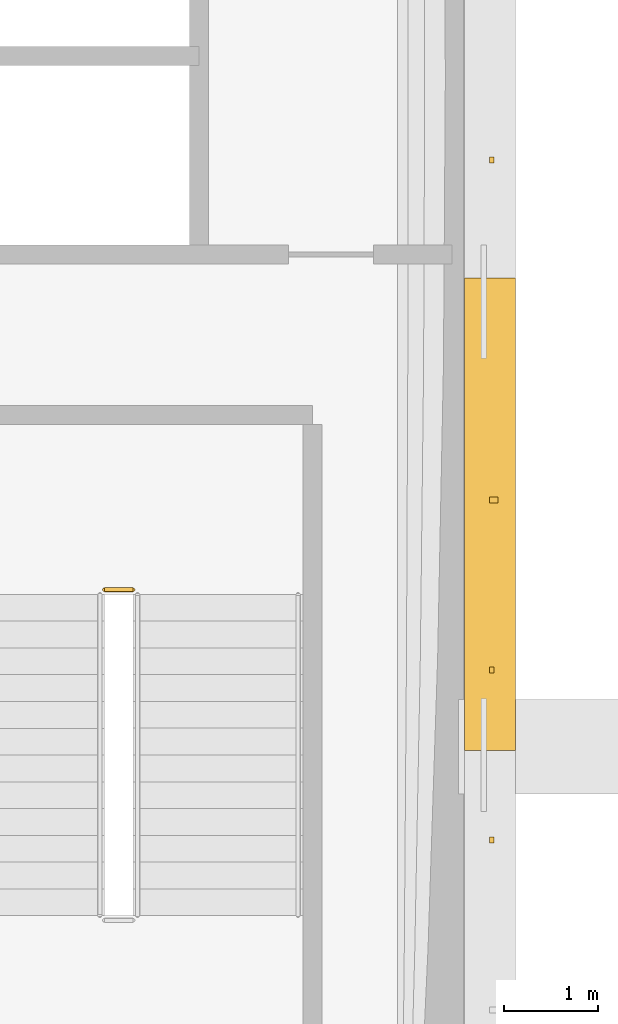
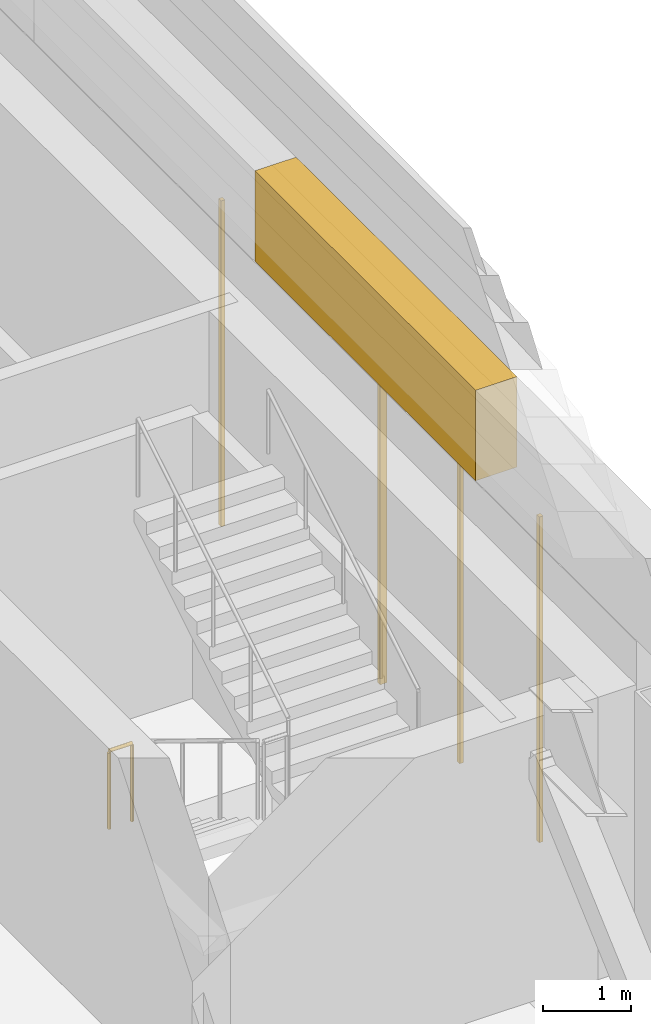
# One storey, part 23 of 29: 5 coverings, 1 railing.
"""IFC4 building model written with IfcOpenShell, lengths in metres."""

import ifcopenshell
import ifcopenshell.guid

model = None  # the IFC model being written
_history = None  # IfcOwnerHistory: only IFC2X3 demands one
_inside = {}  # id of a spatial element -> (the spatial element, [elements in it])
_under = {}  # id of a project, library or spatial element -> (it, [spatial elements below it])
_declared = {}  # id of a project -> (the project, [libraries it declares])
_typed = {}  # id of a type object -> (the type object, [elements of that type])
_made_of = {}  # id of a material, layer set ... -> (it, [elements and type objects made of it])


def new_model(schema):
    """Start an empty IFC model of exactly this schema.

    Asked for "IFC4X3", IfcOpenShell would pick the latest addendum, in which some entities
    have other attributes; the version numbers below select the first issue.
    IFC2X3 requires an IfcOwnerHistory on every rooted entity: one is made here for all.
    """
    global model, _history
    if schema == "IFC4X3":
        model = ifcopenshell.file(schema_version=(4, 3, 0, 0))
    else:
        model = ifcopenshell.file(schema=schema)
    _inside.clear()
    _under.clear()
    _declared.clear()
    _typed.clear()
    _made_of.clear()
    _history = None
    if model.schema == "IFC2X3":
        org = make("IfcOrganization", Name="unknown")
        user = make(
            "IfcPersonAndOrganization",
            ThePerson=make("IfcPerson", FamilyName="unknown"),
            TheOrganization=org,
        )
        app = make(
            "IfcApplication",
            ApplicationDeveloper=org,
            Version="unknown",
            ApplicationFullName="unknown",
            ApplicationIdentifier="unknown",
        )
        _history = make(
            "IfcOwnerHistory",
            OwningUser=user,
            OwningApplication=app,
            ChangeAction="ADDED",
            CreationDate=0,
        )
    return model


def make(cls, **values):
    """One entity of the class cls with the attributes given. An attribute that is None is left unset."""
    return model.create_entity(
        cls, **{name: value for name, value in values.items() if value is not None}
    )


def rooted(cls, **values):
    """An entity with a GlobalId (a new one), such as an element, a storey or a relation."""
    return make(cls, GlobalId=ifcopenshell.guid.new(), OwnerHistory=_history, **values)


def si_unit(unit_type, name, prefix=None):
    """IfcSIUnit, for example si_unit("LENGTHUNIT", "METRE", prefix="MILLI")."""
    return make("IfcSIUnit", UnitType=unit_type, Prefix=prefix, Name=name)


def assignment(units):
    """IfcUnitAssignment: the units of a project."""
    return None if units is None else make("IfcUnitAssignment", Units=units)


def point(xyz):
    """IfcCartesianPoint."""
    return None if xyz is None else make("IfcCartesianPoint", Coordinates=xyz)


def direction(xyz):
    """IfcDirection."""
    return None if xyz is None else make("IfcDirection", DirectionRatios=xyz)


def frame(location, z_axis=None, x_axis=None):
    """IfcAxis2Placement3D, a coordinate frame: its origin and axes. An axis left out is left unset."""
    return make(
        "IfcAxis2Placement3D",
        Location=point(location),
        Axis=direction(z_axis),
        RefDirection=direction(x_axis),
    )


def frame_2d(location, x_axis=None):
    """IfcAxis2Placement2D, a coordinate frame in the plane: its origin and x axis."""
    return make(
        "IfcAxis2Placement2D", Location=point(location), RefDirection=direction(x_axis)
    )


def origin():
    """The frame at (0, 0, 0) with its axes left unset."""
    return frame((0.0, 0.0, 0.0))


def origin_2d():
    """The frame at (0, 0) in the plane with its x axis left unset."""
    return frame_2d((0.0, 0.0))


def place(relative_to, where):
    """IfcLocalPlacement: puts the frame where relative to a parent placement (None: the world)."""
    return make(
        "IfcLocalPlacement", PlacementRelTo=relative_to, RelativePlacement=where
    )


def context(
    kind, dimensions, precision=None, world=None, true_north=None, identifier=None
):
    """IfcGeometricRepresentationContext, for example the 3D "Model" context."""
    return make(
        "IfcGeometricRepresentationContext",
        ContextIdentifier=identifier,
        ContextType=kind,
        CoordinateSpaceDimension=dimensions,
        Precision=precision,
        WorldCoordinateSystem=world,
        TrueNorth=true_north,
    )


def subcontext(parent, identifier, kind, view, scale=None):
    """IfcGeometricRepresentationSubContext, for example "Body" below "Model"."""
    return make(
        "IfcGeometricRepresentationSubContext",
        ContextIdentifier=identifier,
        ContextType=kind,
        ParentContext=parent,
        TargetScale=scale,
        TargetView=view,
    )


def project(units=None, contexts=None):
    """IfcProject with its units and contexts."""
    return rooted(
        "IfcProject",
        Name="project",
        RepresentationContexts=contexts,
        UnitsInContext=assignment(units),
    )


def spatial(cls, under=None, at=None, **own):
    """A site, building, storey or space (cls), placed at a placement, below another one or the project."""
    s = rooted(cls, ObjectPlacement=at, **own)
    if under is not None:
        _under.setdefault(under.id(), (under, []))[1].append(s)
    return s


def polyline(points):
    """IfcPolyline through the points."""
    return make("IfcPolyline", Points=[point(p) for p in points])


def profile(cls, at=None, kind="AREA", **sizes):
    """A parametric profile (cls). Its sizes go by their IFC names, for example OverallWidth=200.0."""
    return make(cls, ProfileType=kind, Position=at, **sizes)


def rectangle(**sizes):
    """IfcRectangleProfileDef."""
    return profile("IfcRectangleProfileDef", **sizes)


def circle(**sizes):
    """IfcCircleProfileDef."""
    return profile("IfcCircleProfileDef", **sizes)


def outline(outer, holes=None, kind="AREA"):
    """IfcArbitraryClosedProfileDef: a profile drawn as a closed curve; with holes, ...WithVoids."""
    if holes is None:
        return make("IfcArbitraryClosedProfileDef", ProfileType=kind, OuterCurve=outer)
    return make(
        "IfcArbitraryProfileDefWithVoids",
        ProfileType=kind,
        OuterCurve=outer,
        InnerCurves=holes,
    )


def extrude(swept, where, along, depth):
    """IfcExtrudedAreaSolid: the profile swept, set in the frame where, extruded along a direction by depth."""
    return make(
        "IfcExtrudedAreaSolid",
        SweptArea=swept,
        Position=where,
        ExtrudedDirection=direction(along),
        Depth=depth,
    )


def shape(context_of_items, identifier, shape_type, items):
    """IfcShapeRepresentation: the items that make up one representation, for example the "Body"."""
    return make(
        "IfcShapeRepresentation",
        ContextOfItems=context_of_items,
        RepresentationIdentifier=identifier,
        RepresentationType=shape_type,
        Items=items,
    )


def material(Name=None, Category=None):
    """IfcMaterial."""
    return make("IfcMaterial", Name=Name, Category=Category)


def made_of(thing, what):
    """Note that an element or type object is made of a material, layer set ...; save() writes the relation."""
    if what is not None:
        _made_of.setdefault(what.id(), (what, []))[1].append(thing)
    return thing


def type_object(cls, material=None, **own):
    """A type object (cls), such as IfcWallType, which elements share."""
    return made_of(rooted(cls, **own), material)


def element(
    cls,
    number,
    at=None,
    inside=None,
    cuts=None,
    type_object=None,
    material=None,
    context=None,
    identifier="Body",
    shape_type=None,
    held_by="IfcProductDefinitionShape",
    body=None,
    shapes=None,
    **own,
):
    """One element of the class cls, such as IfcWall. Its Tag is "e" and its number.

    at: its placement. inside: the storey or other place that contains it. cuts: it is an
    opening in that element (IfcRelVoidsElement). A single representation is given by context,
    identifier, shape_type and body (its items); several are given by shapes. held_by: the class
    of the entity that holds the representations. save() writes the other relations.
    """
    e = rooted(cls, Tag="e%d" % number, ObjectPlacement=at, **own)
    if body is not None:
        shapes = [shape(context, identifier, shape_type, body)]
    if shapes is not None:
        e.Representation = make(held_by, Representations=shapes)
    if inside is not None:
        _inside.setdefault(inside.id(), (inside, []))[1].append(e)
    if cuts is not None:
        rooted(
            "IfcRelVoidsElement", RelatingBuildingElement=cuts, RelatedOpeningElement=e
        )
    if type_object is not None:
        _typed.setdefault(type_object.id(), (type_object, []))[1].append(e)
    return made_of(e, material)


def aggregate(whole, parts):
    """IfcRelAggregates: a whole, such as a stair, and the parts it consists of."""
    return rooted("IfcRelAggregates", RelatingObject=whole, RelatedObjects=parts)


def save(model, path):
    """Write the relations noted so far, then the file.

    IfcRelAggregates (storeys below a building ...), IfcRelContainedInSpatialStructure (elements
    in a storey), IfcRelDefinesByType, IfcRelAssociatesMaterial and IfcRelDeclares: one each for
    every whole, place, type object, material and project.
    """
    for whole, parts in _under.values():
        aggregate(whole, parts)
    for where, things in _inside.values():
        rooted(
            "IfcRelContainedInSpatialStructure",
            RelatedElements=things,
            RelatingStructure=where,
        )
    for kind, things in _typed.values():
        rooted("IfcRelDefinesByType", RelatedObjects=things, RelatingType=kind)
    for what, things in _made_of.values():
        rooted("IfcRelAssociatesMaterial", RelatedObjects=things, RelatingMaterial=what)
    for by, libraries in _declared.values():
        rooted("IfcRelDeclares", RelatingContext=by, RelatedDefinitions=libraries)
    model.write(path)


model = new_model("IFC4")

# Units and contexts
model_context = context("Model", 3, precision=1e-05, world=origin(), true_north=direction((0.0, 1.0)))
body_context = subcontext(model_context, "Body", "Model", "MODEL_VIEW")
ifc_project = project(units=[si_unit("LENGTHUNIT", "METRE"), si_unit("AREAUNIT", "SQUARE_METRE"), si_unit("VOLUMEUNIT", "CUBIC_METRE"), si_unit("PLANEANGLEUNIT", "RADIAN"), si_unit("MASSUNIT", "GRAM", prefix="KILO")], contexts=[model_context])

# Site, building, storey
site_placement = place(None, origin())
site = spatial("IfcSite", under=ifc_project, at=site_placement, CompositionType="ELEMENT")
building_placement = place(site_placement, origin())
building = spatial("IfcBuilding", under=site, at=building_placement, Name="Cobrizo Arcos Hotel Tower", CompositionType="ELEMENT")
storey_placement = place(building_placement, frame((0.0, 0.0, 186.5)))
storey = spatial("IfcBuildingStorey", under=building, at=storey_placement, Name="L48", CompositionType="ELEMENT", Elevation=186.5)

# Coverings
ifc_material_1 = material(Name="Aluminium 6063-T6 anodised pale", Category="aluminium")
covering_type_1 = type_object("IfcCoveringType", Name="LF-1 setback skirt", PredefinedType="CLADDING", material=ifc_material_1)
covering_1_placement = place(storey_placement, frame((0.0, 0.0, 4.5)))
element("IfcCovering", 1, at=covering_1_placement, inside=storey, type_object=covering_type_1, Name="Setback skirt L48", PredefinedType="CLADDING", context=body_context, shape_type="SweptSolid", body=[
    extrude(outline(polyline([(22.14990234375, -7.14990234375), (22.14990234375, -2.14990234375), (21.610107421875, -2.14990234375), (21.610107421875, -7.14990234375), (22.14990234375, -7.14990234375)])), origin(), (0.0, 0.0, 1.0), 1.25),
])
covering_type_2 = type_object("IfcCoveringType", Name="RS-1 rainscreen rib 60x90", PredefinedType="CLADDING", material=ifc_material_1)
covering_2_placement = place(storey_placement, frame((21.919921875, -4.5, 0.0), z_axis=(0.0, 0.0, 1.0), x_axis=(0.0, 1.0, 0.0)))
element("IfcCovering", 2, at=covering_2_placement, inside=storey, type_object=covering_type_2, Name="Rainscreen rib 64", PredefinedType="CLADDING", context=body_context, shape_type="SweptSolid", body=[
    extrude(rectangle(XDim=0.06005859375, YDim=0.090087890625, at=origin_2d()), origin(), (0.0, 0.0, 1.0), 4.5),
])
covering_type_3 = type_object("IfcCoveringType", Name="RS-2 rainscreen rib 60x50", PredefinedType="CLADDING", material=ifc_material_1)
for number, where, z_axis, x_axis, name in (
    (3, (21.89990234375, -8.10009765625, 0.0), (0.0, 0.0, 1.0), (0.0, 1.0, 0.0), "Rainscreen rib 62"),
    (4, (21.89990234375, -6.300048828125, 0.0), (0.0, 0.0, 1.0), (0.0, 1.0, 0.0), "Rainscreen rib 63"),
    (5, (21.89990234375, -0.89990234375, 0.0), (0.0, 0.0, 1.0), (0.0, 1.0, 0.0), "Rainscreen rib 65"),
):
    element("IfcCovering", number, at=place(storey_placement, frame(where, z_axis=z_axis, x_axis=x_axis)), inside=storey, type_object=covering_type_3, Name=name, PredefinedType="CLADDING", context=body_context, shape_type="SweptSolid", body=[
        extrude(rectangle(XDim=0.06005859375, YDim=0.050048828125, at=origin_2d()), origin(), (0.0, 0.0, 1.0), 4.5),
    ])

# Railing
ifc_material_2 = material(Name="Stainless steel railing", Category="steel")
railing_type = type_object("IfcRailingType", Name="Stair guard 1100", PredefinedType="GUARDRAIL", material=ifc_material_2)
railing_placement = place(storey_placement, frame((17.800048828125, -5.449951171875, 0.0)))
element("IfcRailing", 6, at=railing_placement, inside=storey, type_object=railing_type, Name="L48 ST-E stair guard 4", PredefinedType="GUARDRAIL", context=body_context, shape_type="SweptSolid", body=[
    extrude(circle(Radius=0.02392578125, at=origin_2d()), frame((0.0, 0.0, 1.076171875), z_axis=(1.0, 0.0, 0.0), x_axis=(0.0, 1.0, 0.0)), (0.0, 0.0, 1.0), 0.300048828125),
    extrude(circle(Radius=0.02099609375, at=origin_2d()), origin(), (0.0, 0.0, 1.0), 1.052001953125),
    extrude(circle(Radius=0.02099609375, at=origin_2d()), frame((0.300048828125, 0.0, 0.0)), (0.0, 0.0, 1.0), 1.052001953125),
])

save(model, "model.ifc")
